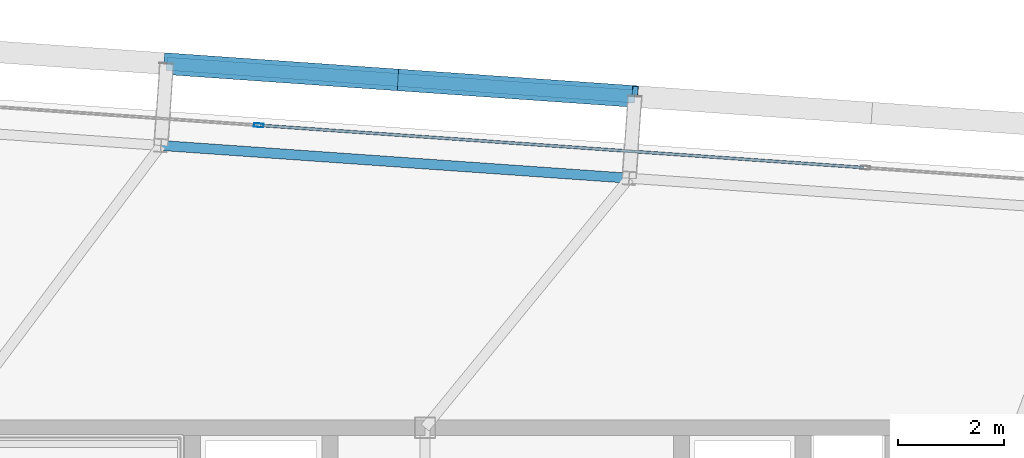
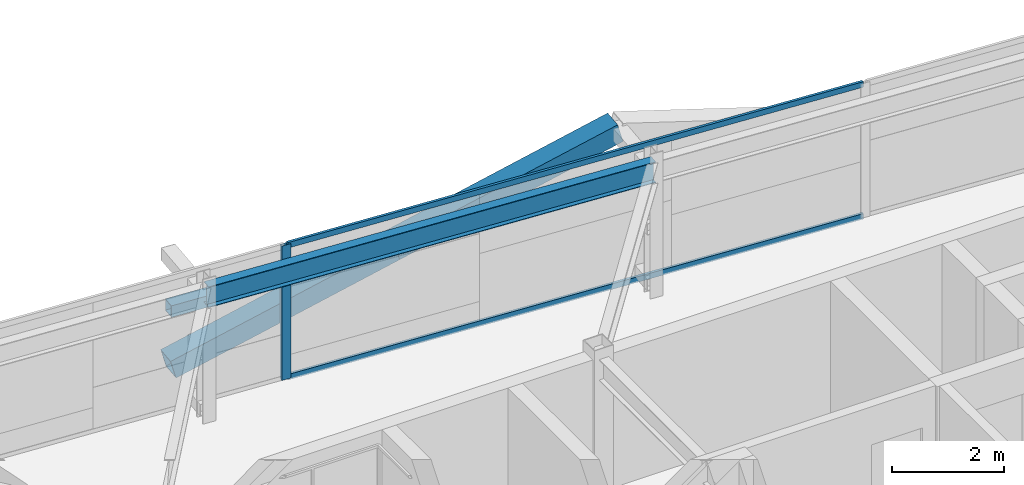
# One storey, part 21 of 39: 6 members, 1 beam, 1 element without a shape of its own.
"""IFC4 building model written with IfcOpenShell, lengths in metres."""

from ifc_helpers import new_model, si_unit, direction, frame, origin, origin_2d, place, context, subcontext, project, spatial, hollow_rectangle, i_section, extrude, source, transform, mapped, material, layer, layer_set, material_profile, profile_set, type_object, element, aggregate, save


model = new_model("IFC4")

# Units and contexts
model_context = context("Model", 3, precision=1e-05, world=origin(), true_north=direction((0.0, 1.0)))
body_context = subcontext(model_context, "Body", "Model", "MODEL_VIEW")
ifc_project = project(units=[si_unit("LENGTHUNIT", "METRE"), si_unit("AREAUNIT", "SQUARE_METRE"), si_unit("VOLUMEUNIT", "CUBIC_METRE"), si_unit("PLANEANGLEUNIT", "RADIAN"), si_unit("MASSUNIT", "GRAM", prefix="KILO")], contexts=[model_context])

# Site, building, storey
site_placement = place(None, origin())
site = spatial("IfcSite", under=ifc_project, at=site_placement, CompositionType="ELEMENT")
building_placement = place(site_placement, origin())
building = spatial("IfcBuilding", under=site, at=building_placement, Name="Taldren Reach Tower", CompositionType="ELEMENT")
storey_placement = place(building_placement, frame((0.0, 0.0, 129.85009765625)))
storey = spatial("IfcBuildingStorey", under=building, at=storey_placement, Name="L39", CompositionType="ELEMENT", Elevation=129.85009765625)

# Beam
ifc_material_1 = material(Name="Steel Gr 350 (350PLUS)", Category="steel")
ifc_material_profile_1 = material_profile(ifc_material_1, i_section(OverallWidth=0.18994140625, OverallDepth=0.4541015625, WebThickness=0.008544921875, FlangeThickness=0.0126953125, at=origin_2d()), Name="460UB67.1")
ifc_profile_set_1 = profile_set([ifc_material_profile_1], Name="Steel Gr 350 (350PLUS)")
beam_type = type_object("IfcBeamType", Name="SP-UB460B", PredefinedType="SPANDREL", material=ifc_profile_set_1)
shared_shape_1 = source(origin(), body_context, "Body", "SweptSolid", [
    extrude(i_section(OverallWidth=0.18994140625, OverallDepth=0.4541015625, WebThickness=0.008544921875, FlangeThickness=0.0126953125, at=origin_2d()), origin(), (0.0, 0.0, 1.0), 8.880126953125),
])
beam_placement = place(storey_placement, frame((31.861328125, 36.719970703125, 2.702880859375), z_axis=(-0.997564479639, 0.069750333063, 0.0), x_axis=(-0.069750333063, -0.997564479639, 0.0)))
element("IfcBeam", 1, at=beam_placement, inside=storey, type_object=beam_type, Name="Perimeter spandrel B3 N3-N2 L39", PredefinedType="SPANDREL", context=body_context, shape_type="MappedRepresentation", body=[
    mapped(shared_shape_1, transform((0.0, 0.0, 0.0), scale=1.0)),
])

# Members
ifc_material_2 = material(Name="Steel Gr 350 (C350L0)", Category="steel")
ifc_material_profile_2 = material_profile(ifc_material_2, hollow_rectangle(XDim=0.25, YDim=0.25, WallThickness=0.010009765625, at=origin_2d()), Name="250x250x10.0SHS")
ifc_profile_set_2 = profile_set([ifc_material_profile_2], Name="Steel Gr 350 (C350L0)")
member_type_1 = type_object("IfcMemberType", Name="MB-POST250", PredefinedType="POST", material=ifc_profile_set_2)
shared_shape_2 = source(origin(), body_context, "Body", "SweptSolid", [
    extrude(hollow_rectangle(XDim=0.25, YDim=0.25, WallThickness=0.010009765625, at=origin_2d()), origin(), (0.0, 0.0, 1.0), 8.880126953125),
])
member_1_placement = place(storey_placement, frame((23.111083984375, 38.885498046875, 1.434814453125), z_axis=(0.997564479639, -0.069750333063, 0.0), x_axis=(0.069750333063, 0.997564479639, 0.0)))
element("IfcMember", 2, at=member_1_placement, inside=storey, type_object=member_type_1, Name="Exoskeleton mid-height ring chord B3-N2 L39", PredefinedType="POST", context=body_context, shape_type="MappedRepresentation", body=[
    mapped(shared_shape_2, transform((0.0, 0.0, 0.0), scale=1.0)),
])
ifc_material_3 = material(Name="Steel Gr 450 (C450L0)", Category="steel")
ifc_material_profile_3 = material_profile(ifc_material_3, hollow_rectangle(XDim=0.409912109375, YDim=0.409912109375, WallThickness=0.01611328125, at=origin_2d()), Name="410x410x16.0SHS")
ifc_profile_set_3 = profile_set([ifc_material_profile_3], Name="Steel Gr 450 (C450L0)")
member_type_2 = type_object("IfcMemberType", Name="MB-EXO406", PredefinedType="BRACE", material=ifc_profile_set_3)
shared_shape_3 = source(origin(), body_context, "Body", "SweptSolid", [
    extrude(hollow_rectangle(XDim=0.409912109375, YDim=0.409912109375, WallThickness=0.01611328125, at=origin_2d()), origin(), (0.0, 0.0, 1.0), 4.603271484375),
])
for number, where, z_axis, x_axis, name in (
    (3, (23.111083984375, 38.885498046875, 0.219970703125), (0.962199253371, -0.067251055742, 0.263912660389), (0.069722973508, 0.997566392259, 0.0), "Exoskeleton Diagrid Brace B3-N2 L39"),
    (4, (27.540283203125, 38.575927734375, 1.434814453125), (0.962182351074, -0.067302910567, 0.263961060594), (0.06977769246, 0.997562566276, 0.0), "Exoskeleton Diagrid Brace B3-N2 L39"),
):
    element("IfcMember", number, at=place(storey_placement, frame(where, z_axis=z_axis, x_axis=x_axis)), inside=storey, type_object=member_type_2, Name=name, PredefinedType="BRACE", context=body_context, shape_type="MappedRepresentation", body=[
        mapped(shared_shape_3, transform((0.0, 0.0, 0.0), scale=1.0)),
    ])

# Curtain wall, members
ifc_material_4 = material(Name="Aluminium and Low-E Glass Unitised System", Category="aluminium")
ifc_layer = layer(ifc_material_4, 0.159912109375)
ifc_layer_set = layer_set([ifc_layer], Name="Aluminium and Low-E Glass Unitised System")
curtain_wall_type = type_object("IfcCurtainWallType", Name="CW-SYS-4", PredefinedType="NOTDEFINED", material=ifc_layer_set)
curtain_wall_placement = place(storey_placement, origin())
curtain_wall = element("IfcCurtainWall", 5, at=curtain_wall_placement, inside=storey, type_object=curtain_wall_type, Name="Unitised curtain wall CW-L39-N", PredefinedType="NOTDEFINED")
ifc_material_5 = material(Name="Anodised Aluminium 6063-T6", Category="aluminium")
ifc_material_profile_4 = material_profile(ifc_material_5, hollow_rectangle(XDim=0.054931640625, YDim=0.1201171875, WallThickness=0.0029296875, at=origin_2d()), Name="ALU-120x55x3RHS")
ifc_profile_set_4 = profile_set([ifc_material_profile_4], Name="Anodised Aluminium 6063-T6")
member_type_3 = type_object("IfcMemberType", Name="CW-TRN-135", PredefinedType="USERDEFINED", material=ifc_profile_set_4)
shared_shape_4 = source(origin(), body_context, "Body", "SweptSolid", [
    extrude(hollow_rectangle(XDim=0.054931640625, YDim=0.1201171875, WallThickness=0.0029296875, at=origin_2d()), origin(), (0.0, 0.0, 1.0), 11.43017578125),
])
member_2_placement = place(storey_placement, frame((36.291259765625, 36.92138671875, 0.02734375), z_axis=(-0.997563844883, 0.069759410701, 0.0), x_axis=(-0.069759410701, -0.997563844883, 0.0)))
member_2 = element("IfcMember", 6, at=member_2_placement, type_object=member_type_3, Name="CW-4 transom 3.1", ObjectType="TRANSOM", PredefinedType="USERDEFINED", context=body_context, shape_type="MappedRepresentation", body=[
    mapped(shared_shape_4, transform((0.0, 0.0, 0.0), scale=1.0)),
])
member_3_placement = place(storey_placement, frame((36.291259765625, 36.92138671875, 2.90234375), z_axis=(-0.997563844883, 0.069759410701, 0.0), x_axis=(-0.069759410701, -0.997563844883, 0.0)))
member_3 = element("IfcMember", 7, at=member_3_placement, type_object=member_type_3, Name="CW-4 transom 3.2", ObjectType="TRANSOM", PredefinedType="USERDEFINED", context=body_context, shape_type="MappedRepresentation", body=[
    mapped(shared_shape_4, transform((0.0, 0.0, 0.0), scale=1.0)),
])
ifc_material_profile_5 = material_profile(ifc_material_5, hollow_rectangle(XDim=0.070068359375, YDim=0.179931640625, WallThickness=0.00390625, at=origin_2d()), Name="ALU-180x70x4RHS")
ifc_profile_set_5 = profile_set([ifc_material_profile_5], Name="Anodised Aluminium 6063-T6")
member_type_4 = type_object("IfcMemberType", Name="CW-MUL-180", PredefinedType="MULLION", material=ifc_profile_set_5)
shared_shape_5 = source(origin(), body_context, "Body", "SweptSolid", [
    extrude(hollow_rectangle(XDim=0.070068359375, YDim=0.179931640625, WallThickness=0.00390625, at=origin_2d()), origin(), (0.0, 0.0, 1.0), 2.929931640625),
])
member_4_placement = place(storey_placement, frame((24.85400390625, 37.72119140625, 0.0), z_axis=(0.0, 0.0, 1.0), x_axis=(-0.06975651593, -0.99756404731, 0.0)))
member_4 = element("IfcMember", 8, at=member_4_placement, type_object=member_type_4, Name="CW-4 mullion 4", PredefinedType="MULLION", context=body_context, shape_type="MappedRepresentation", body=[
    mapped(shared_shape_5, transform((0.0, 0.0, 0.0), scale=1.0)),
])
aggregate(curtain_wall, [member_4, member_2, member_3])

save(model, "model.ifc")
